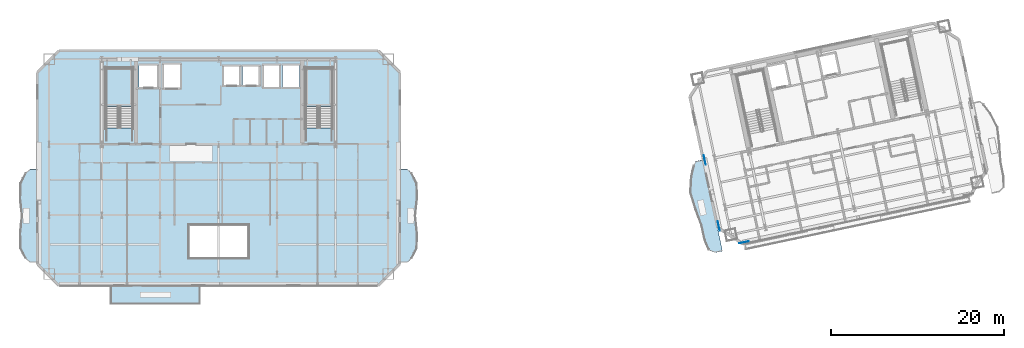
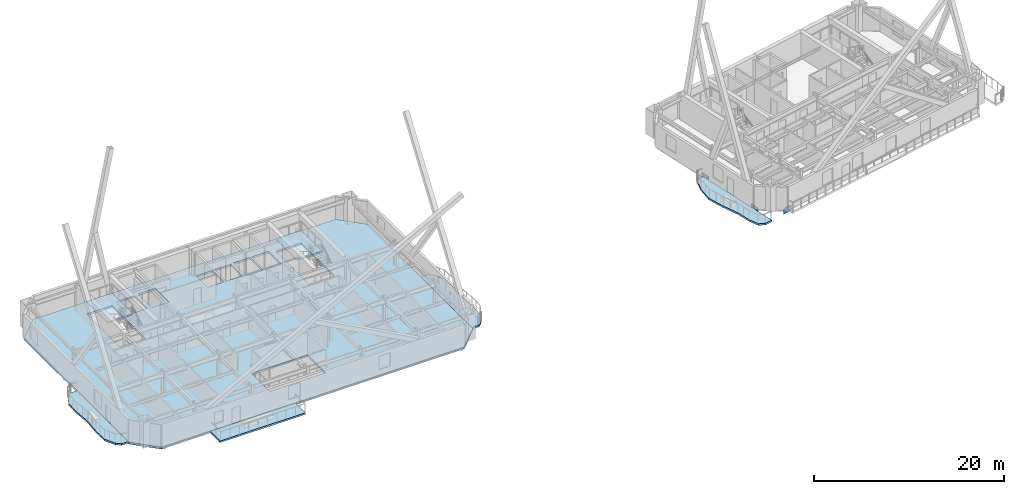
# One storey, part 8 of 19: 7 slabs, 3 plates, 2 elements without a shape of their own.
"""IFC4 building model written with IfcOpenShell, lengths in metres."""

from ifc_helpers import new_model, si_unit, direction, frame, origin, origin_2d, place, context, subcontext, project, spatial, polyline, rectangle, outline, extrude, material, layer, layer_set, type_object, element, aggregate, save


model = new_model("IFC4")

# Units and contexts
model_context = context("Model", 3, precision=1e-05, world=origin(), true_north=direction((0.0, 1.0)))
body_context = subcontext(model_context, "Body", "Model", "MODEL_VIEW")
ifc_project = project(units=[si_unit("LENGTHUNIT", "METRE"), si_unit("AREAUNIT", "SQUARE_METRE"), si_unit("VOLUMEUNIT", "CUBIC_METRE"), si_unit("PLANEANGLEUNIT", "RADIAN"), si_unit("MASSUNIT", "GRAM", prefix="KILO")], contexts=[model_context])

# Site, building, storey
site_placement = place(None, origin())
site = spatial("IfcSite", under=ifc_project, at=site_placement, CompositionType="ELEMENT")
building_placement = place(site_placement, origin())
building = spatial("IfcBuilding", under=site, at=building_placement, Name="Haevon Station Towers", CompositionType="ELEMENT")
storey_placement = place(building_placement, frame((0.0, 0.0, 156.0)))
storey = spatial("IfcBuildingStorey", under=building, at=storey_placement, Name="L42", CompositionType="ELEMENT", Elevation=156.0)

# Plates
ifc_material_1 = material(Name="PL-SPL1", Category="steel")
ifc_layer_1 = layer(ifc_material_1, 0.031982421875)
ifc_layer_set_1 = layer_set([ifc_layer_1], Name="PL-SPL1")
plate_type = type_object("IfcPlateType", Name="PL-SPL1", PredefinedType="USERDEFINED", material=ifc_layer_set_1)
for number, where, z_axis, x_axis, name in (
    (1, (98.189453125, 26.8642578125, -0.4951171875), (0.0, 0.0, 1.0), (0.978147600734, 0.207911690818, 0.0), "PL-T2SPL-T06-S-1"),
    (2, (95.259765625, 28.7666015625, -0.4951171875), (0.0, 0.0, 1.0), (-0.207911690818, 0.978147600734, 0.0), "PL-T2SPL-T06-W-1"),
    (3, (93.646484375, 36.357177734375, -0.4951171875), (0.0, 0.0, 1.0), (-0.207911690818, 0.978147600734, 0.0), "PL-T2SPL-T06-W-2"),
):
    element("IfcPlate", number, at=place(storey_placement, frame(where, z_axis=z_axis, x_axis=x_axis)), inside=storey, type_object=plate_type, Name=name, ObjectType="SPLICE_PLATE", PredefinedType="USERDEFINED", context=body_context, shape_type="SweptSolid", body=[
        extrude(rectangle(XDim=1.10009765625, YDim=0.031982421875, at=origin_2d()), origin(), (0.0, 0.0, 1.0), 0.75),
    ])

# Slabs
ifc_material_2 = material(Name="Concrete C40/50", Category="concrete")
ifc_layer_2 = layer(ifc_material_2, 0.219970703125)
ifc_layer_set_2 = layer_set([ifc_layer_2], Name="Concrete C40/50")
slab_type_1 = type_object("IfcSlabType", Name="SL-BALC220", PredefinedType="FLOOR", material=ifc_layer_set_2)
slab_1_placement = place(storey_placement, frame((0.0, 0.0, -0.219970703125)))
element("IfcSlab", 4, at=slab_1_placement, inside=storey, type_object=slab_type_1, Name="Tower 1 L42 West SCALLOPED BALCONY", PredefinedType="FLOOR", context=body_context, shape_type="SweptSolid", body=[
    extrude(outline(polyline([(16.570068359375, 35.324951171875), (15.719970703125, 35.324951171875), (15.221923828125, 34.9140625), (14.6162109375, 33.743408203125), (14.562744140625, 31.991455078125), (14.7236328125, 29.925048828125), (14.562744140625, 27.8583984375), (14.6162109375, 26.106689453125), (15.221923828125, 24.93603515625), (15.719970703125, 24.52490234375), (16.570068359375, 24.52490234375), (16.570068359375, 35.324951171875)])), origin(), (0.0, 0.0, 1.0), 0.219970703125),
])
slab_2_placement = place(storey_placement, frame((0.0, 0.0, -0.219970703125)))
element("IfcSlab", 5, at=slab_2_placement, inside=storey, type_object=slab_type_1, Name="Tower 1 L42 East SCALLOPED BALCONY", PredefinedType="FLOOR", context=body_context, shape_type="SweptSolid", body=[
    extrude(outline(polyline([(58.429931640625, 24.52490234375), (59.280029296875, 24.52490234375), (59.778076171875, 24.93603515625), (60.3837890625, 26.106689453125), (60.437255859375, 27.8583984375), (60.2763671875, 29.925048828125), (60.437255859375, 31.991455078125), (60.3837890625, 33.743408203125), (59.778076171875, 34.9140625), (59.280029296875, 35.324951171875), (58.429931640625, 35.324951171875), (58.429931640625, 24.52490234375)])), origin(), (0.0, 0.0, 1.0), 0.219970703125),
])
slab_3_placement = place(storey_placement, frame((0.0, 0.0, -0.219970703125)))
element("IfcSlab", 6, at=slab_3_placement, inside=storey, type_object=slab_type_1, Name="Tower 1 L42 Planted Balcony Band", PredefinedType="FLOOR", context=body_context, shape_type="SweptSolid", body=[
    extrude(outline(polyline([(25.0, 19.75), (35.39990234375, 19.75), (35.39990234375, 21.844970703125), (25.0, 21.844970703125), (25.0, 19.75)])), origin(), (0.0, 0.0, 1.0), 0.219970703125),
])
slab_4_placement = place(storey_placement, frame((0.0, 0.0, -0.219970703125)))
element("IfcSlab", 7, at=slab_4_placement, inside=storey, type_object=slab_type_1, Name="Tower 2 L42 West SCALLOPED BALCONY", PredefinedType="FLOOR", context=body_context, shape_type="SweptSolid", body=[
    extrude(outline(polyline([(93.44580078125, 36.41162109375), (92.5830078125, 36.228271484375), (92.371826171875, 35.76318359375), (92.0693359375, 34.501953125), (91.938232421875, 32.68310546875), (92.514404296875, 30.69287109375), (93.27197265625, 28.7412109375), (93.6572265625, 27.0322265625), (94.127685546875, 25.935546875), (94.828369140625, 25.664306640625), (95.691162109375, 25.84765625), (93.44580078125, 36.41162109375)])), origin(), (0.0, 0.0, 1.0), 0.219970703125),
])

# Stair, slab
stair_type = type_object("IfcStairType", Name="STR-DL1450", PredefinedType="USERDEFINED", material=ifc_material_2)
stair_1_placement = place(storey_placement, origin())
stair_1 = element("IfcStair", 8, at=stair_1_placement, inside=storey, type_object=stair_type, Name="L42 Escape Stair ST1", ObjectType="TWO_RETURN_STAIR", PredefinedType="USERDEFINED")
ifc_layer_3 = layer(ifc_material_2, 0.199951171875)
ifc_layer_set_3 = layer_set([ifc_layer_3], Name="Concrete C40/50")
slab_type_2 = type_object("IfcSlabType", Name="SL-LND200", PredefinedType="LANDING", material=ifc_layer_set_3)
slab_5_placement = place(storey_placement, frame((0.0, 0.0, 1.449951171875)))
slab_5 = element("IfcSlab", 9, at=slab_5_placement, type_object=slab_type_2, Name="L42 ST1 Half Landing 1", PredefinedType="LANDING", context=body_context, shape_type="SweptSolid", body=[
    extrude(outline(polyline([(27.580078125, 42.56396484375), (27.580078125, 47.0), (24.47998046875, 47.0), (24.47998046875, 42.56396484375), (27.580078125, 42.56396484375)])), origin(), (0.0, 0.0, 1.0), 0.199951171875),
])
aggregate(stair_1, [slab_5])

stair_2_placement = place(storey_placement, origin())
stair_2 = element("IfcStair", 10, at=stair_2_placement, inside=storey, type_object=stair_type, Name="L42 Escape Stair ST2", ObjectType="TWO_RETURN_STAIR", PredefinedType="USERDEFINED")
slab_6_placement = place(storey_placement, frame((0.0, 0.0, 1.449951171875)))
slab_6 = element("IfcSlab", 11, at=slab_6_placement, type_object=slab_type_2, Name="L42 ST2 Half Landing 1", PredefinedType="LANDING", context=body_context, shape_type="SweptSolid", body=[
    extrude(outline(polyline([(50.6201171875, 42.56396484375), (50.6201171875, 47.0), (47.52001953125, 47.0), (47.52001953125, 42.56396484375), (50.6201171875, 42.56396484375)])), origin(), (0.0, 0.0, 1.0), 0.199951171875),
])
aggregate(stair_2, [slab_6])

# Slab
ifc_layer_4 = layer(ifc_material_2, 0.25)
ifc_layer_set_4 = layer_set([ifc_layer_4], Name="Concrete C40/50")
slab_type_3 = type_object("IfcSlabType", Name="SL-TW250", PredefinedType="FLOOR", material=ifc_layer_set_4)
slab_7_placement = place(storey_placement, frame((0.0, 0.0, -0.25)))
element("IfcSlab", 12, at=slab_7_placement, inside=storey, type_object=slab_type_3, Name="SL-T1-L42", PredefinedType="FLOOR", context=body_context, shape_type="SweptSolid", body=[
    extrude(outline(polyline([(19.074951171875, 21.85009765625), (55.925048828125, 21.85009765625), (58.425048828125, 24.35009765625), (58.425048828125, 46.5), (55.925048828125, 49.0), (19.074951171875, 49.0), (16.574951171875, 46.5), (16.574951171875, 24.35009765625), (19.074951171875, 21.85009765625)]), holes=[polyline([(27.580078125, 40.055908203125), (27.580078125, 47.0), (24.47998046875, 47.0), (24.47998046875, 40.055908203125), (27.580078125, 40.055908203125)]), polyline([(50.6201171875, 40.055908203125), (50.6201171875, 47.0), (47.52001953125, 47.0), (47.52001953125, 40.055908203125), (50.6201171875, 40.055908203125)]), polyline([(28.300048828125, 44.699951171875), (30.5, 44.699951171875), (30.5, 47.39990234375), (28.300048828125, 47.39990234375), (28.300048828125, 44.699951171875)]), polyline([(31.050048828125, 44.60009765625), (33.14990234375, 44.60009765625), (33.14990234375, 47.5), (31.050048828125, 47.5), (31.050048828125, 44.60009765625)]), polyline([(38.0, 44.89990234375), (40.0, 44.89990234375), (40.0, 47.300048828125), (38.0, 47.300048828125), (38.0, 44.89990234375)]), polyline([(40.25, 44.89990234375), (42.25, 44.89990234375), (42.25, 47.300048828125), (40.25, 47.300048828125), (40.25, 44.89990234375)]), polyline([(42.60009765625, 44.699951171875), (44.60009765625, 44.699951171875), (44.60009765625, 47.39990234375), (42.60009765625, 47.39990234375), (42.60009765625, 44.699951171875)]), polyline([(44.85009765625, 44.699951171875), (46.85009765625, 44.699951171875), (46.85009765625, 47.39990234375), (44.85009765625, 47.39990234375), (44.85009765625, 44.699951171875)]), polyline([(34.10009765625, 25.050048828125), (40.89990234375, 25.050048828125), (40.89990234375, 28.85009765625), (34.10009765625, 28.85009765625), (34.10009765625, 25.050048828125)])]), origin(), (0.0, 0.0, 1.0), 0.25),
])

save(model, "model.ifc")
